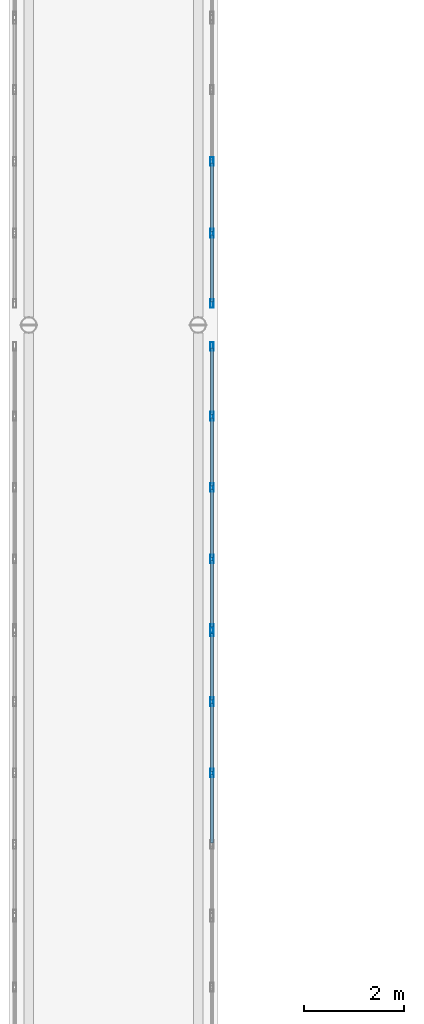
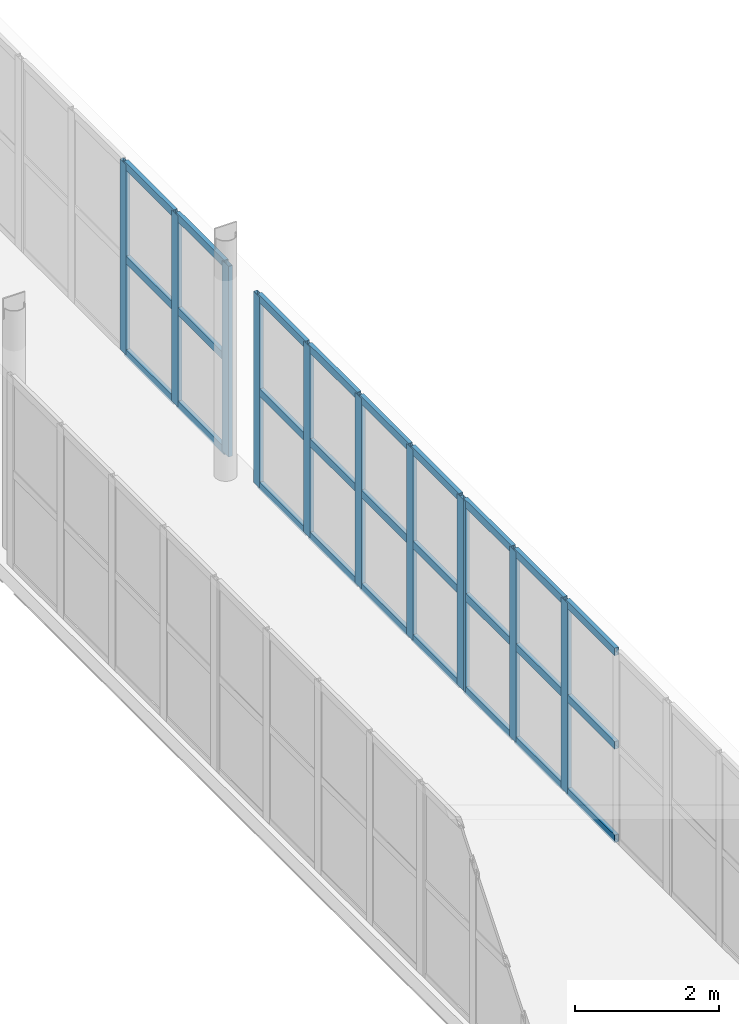
# One storey, part 29 of 52: 38 members, 3 elements without a shape of their own.
"""IFC4 building model written with IfcOpenShell, lengths in metres."""

from ifc_helpers import new_model, si_unit, direction, frame, origin, origin_2d, place, context, subcontext, project, spatial, hollow_rectangle, extrude, material, layer, layer_set, material_profile, profile_set, type_object, element, aggregate, save


model = new_model("IFC4")

# Units and contexts
model_context = context("Model", 3, precision=1e-05, world=origin(), true_north=direction((0.0, 1.0)))
body_context = subcontext(model_context, "Body", "Model", "MODEL_VIEW")
ifc_project = project(units=[si_unit("LENGTHUNIT", "METRE"), si_unit("AREAUNIT", "SQUARE_METRE"), si_unit("VOLUMEUNIT", "CUBIC_METRE"), si_unit("PLANEANGLEUNIT", "RADIAN"), si_unit("MASSUNIT", "GRAM", prefix="KILO")], contexts=[model_context])

# Site, building, storey
site_placement = place(None, origin())
site = spatial("IfcSite", under=ifc_project, at=site_placement, CompositionType="ELEMENT")
building_placement = place(site_placement, origin())
building = spatial("IfcBuilding", under=site, at=building_placement, Name="Valcora Specialist Clinic", CompositionType="ELEMENT")
storey_placement = place(building_placement, frame((0.0, 0.0, 17.679931640625)))
storey = spatial("IfcBuildingStorey", under=building, at=storey_placement, Name="L04", CompositionType="ELEMENT", Elevation=17.679931640625)

# Curtain wall, members
ifc_material = material(Name="Anodized Bronze Aluminium 6063-T6", Category="aluminium")
ifc_layer = layer(ifc_material, 0.175048828125)
ifc_layer_set = layer_set([ifc_layer], Name="Anodized Bronze Aluminium 6063-T6")
curtain_wall_type = type_object("IfcCurtainWallType", Name="TY-CW-BRG14", PredefinedType="NOTDEFINED", material=ifc_layer_set)
curtain_wall_1_placement = place(storey_placement, origin())
curtain_wall_1 = element("IfcCurtainWall", 1, at=curtain_wall_1_placement, inside=storey, type_object=curtain_wall_type, Name="Curtain wall CW-L04-280", PredefinedType="NOTDEFINED")
ifc_material_profile_1 = material_profile(ifc_material, hollow_rectangle(XDim=0.06494140625, YDim=0.175048828125, WallThickness=0.00390625, at=origin_2d()), Name="AL-MUL-65X175")
ifc_profile_set_1 = profile_set([ifc_material_profile_1], Name="Anodized Bronze Aluminium 6063-T6")
member_type_1 = type_object("IfcMemberType", Name="TY-CWM-65X175", PredefinedType="MULLION", material=ifc_profile_set_1)
member_1_placement = place(storey_placement, frame((65.280029296875, 47.0, 0.0), z_axis=(0.0, 0.0, 1.0), x_axis=(-1.0, 0.0, 0.0)))
member_1 = element("IfcMember", 2, at=member_1_placement, type_object=member_type_1, Name="CW-BRG-14 mullion 3", PredefinedType="MULLION", context=body_context, shape_type="SweptSolid", body=[
    extrude(hollow_rectangle(XDim=0.06494140625, YDim=0.175048828125, WallThickness=0.00390625, at=origin_2d()), origin(), (0.0, 0.0, 1.0), 3.239990234375),
])
member_2_placement = place(storey_placement, frame((65.280029296875, 48.433349609375, 0.0), z_axis=(0.0, 0.0, 1.0), x_axis=(-1.0, 0.0, 0.0)))
member_2 = element("IfcMember", 3, at=member_2_placement, type_object=member_type_1, Name="CW-BRG-14 mullion 4", PredefinedType="MULLION", context=body_context, shape_type="SweptSolid", body=[
    extrude(hollow_rectangle(XDim=0.06494140625, YDim=0.175048828125, WallThickness=0.00390625, at=origin_2d()), origin(), (0.0, 0.0, 1.0), 3.239990234375),
])
member_3_placement = place(storey_placement, frame((65.280029296875, 49.834228515625, 0.0), z_axis=(0.0, 0.0, 1.0), x_axis=(-1.0, 0.0, 0.0)))
member_3 = element("IfcMember", 4, at=member_3_placement, type_object=member_type_1, Name="CW-BRG-14 mullion 5", PredefinedType="MULLION", context=body_context, shape_type="SweptSolid", body=[
    extrude(hollow_rectangle(XDim=0.06494140625, YDim=0.175048828125, WallThickness=0.00390625, at=origin_2d()), origin(), (0.0, 0.0, 1.0), 3.239990234375),
])

curtain_wall_2_placement = place(storey_placement, origin())
curtain_wall_2 = element("IfcCurtainWall", 5, at=curtain_wall_2_placement, inside=storey, type_object=curtain_wall_type, Name="Curtain wall CW-L04-281", PredefinedType="NOTDEFINED")
member_4_placement = place(storey_placement, frame((65.280029296875, 49.899169921875, 0.0), z_axis=(0.0, 0.0, 1.0), x_axis=(-1.0, 0.0, 0.0)))
member_4 = element("IfcMember", 6, at=member_4_placement, type_object=member_type_1, Name="CW-BRG-14 mullion 1", PredefinedType="MULLION", context=body_context, shape_type="SweptSolid", body=[
    extrude(hollow_rectangle(XDim=0.06494140625, YDim=0.175048828125, WallThickness=0.00390625, at=origin_2d()), origin(), (0.0, 0.0, 1.0), 3.239990234375),
])
member_5_placement = place(storey_placement, frame((65.280029296875, 51.300048828125, 0.0), z_axis=(0.0, 0.0, 1.0), x_axis=(-1.0, 0.0, 0.0)))
member_5 = element("IfcMember", 7, at=member_5_placement, type_object=member_type_1, Name="CW-BRG-14 mullion 2", PredefinedType="MULLION", context=body_context, shape_type="SweptSolid", body=[
    extrude(hollow_rectangle(XDim=0.06494140625, YDim=0.175048828125, WallThickness=0.00390625, at=origin_2d()), origin(), (0.0, 0.0, 1.0), 3.239990234375),
])
member_6_placement = place(storey_placement, frame((65.280029296875, 52.7333984375, 0.0), z_axis=(0.0, 0.0, 1.0), x_axis=(-1.0, 0.0, 0.0)))
member_6 = element("IfcMember", 8, at=member_6_placement, type_object=member_type_1, Name="CW-BRG-14 mullion 3", PredefinedType="MULLION", context=body_context, shape_type="SweptSolid", body=[
    extrude(hollow_rectangle(XDim=0.06494140625, YDim=0.175048828125, WallThickness=0.00390625, at=origin_2d()), origin(), (0.0, 0.0, 1.0), 3.239990234375),
])
member_7_placement = place(storey_placement, frame((65.280029296875, 54.166748046875, 0.0), z_axis=(0.0, 0.0, 1.0), x_axis=(-1.0, 0.0, 0.0)))
member_7 = element("IfcMember", 9, at=member_7_placement, type_object=member_type_1, Name="CW-BRG-14 mullion 4", PredefinedType="MULLION", context=body_context, shape_type="SweptSolid", body=[
    extrude(hollow_rectangle(XDim=0.06494140625, YDim=0.175048828125, WallThickness=0.00390625, at=origin_2d()), origin(), (0.0, 0.0, 1.0), 3.239990234375),
])
member_8_placement = place(storey_placement, frame((65.280029296875, 55.5673828125, 0.0), z_axis=(0.0, 0.0, 1.0), x_axis=(-1.0, 0.0, 0.0)))
member_8 = element("IfcMember", 10, at=member_8_placement, type_object=member_type_1, Name="CW-BRG-14 mullion 5", PredefinedType="MULLION", context=body_context, shape_type="SweptSolid", body=[
    extrude(hollow_rectangle(XDim=0.06494140625, YDim=0.175048828125, WallThickness=0.00390625, at=origin_2d()), origin(), (0.0, 0.0, 1.0), 3.239990234375),
])

curtain_wall_3_placement = place(storey_placement, origin())
curtain_wall_3 = element("IfcCurtainWall", 11, at=curtain_wall_3_placement, inside=storey, type_object=curtain_wall_type, Name="Curtain wall CW-L04-282", PredefinedType="NOTDEFINED")
member_9_placement = place(storey_placement, frame((65.280029296875, 56.4326171875, 0.0), z_axis=(0.0, 0.0, 1.0), x_axis=(-1.0, 0.0, 0.0)))
member_9 = element("IfcMember", 12, at=member_9_placement, type_object=member_type_1, Name="CW-BRG-14 mullion 1", PredefinedType="MULLION", context=body_context, shape_type="SweptSolid", body=[
    extrude(hollow_rectangle(XDim=0.06494140625, YDim=0.175048828125, WallThickness=0.00390625, at=origin_2d()), origin(), (0.0, 0.0, 1.0), 3.239990234375),
])
member_10_placement = place(storey_placement, frame((65.280029296875, 57.841796875, 0.0), z_axis=(0.0, 0.0, 1.0), x_axis=(-1.0, 0.0, 0.0)))
member_10 = element("IfcMember", 13, at=member_10_placement, type_object=member_type_1, Name="CW-BRG-14 mullion 2", PredefinedType="MULLION", context=body_context, shape_type="SweptSolid", body=[
    extrude(hollow_rectangle(XDim=0.06494140625, YDim=0.175048828125, WallThickness=0.00390625, at=origin_2d()), origin(), (0.0, 0.0, 1.0), 3.239990234375),
])
member_11_placement = place(storey_placement, frame((65.280029296875, 59.283447265625, 0.0), z_axis=(0.0, 0.0, 1.0), x_axis=(-1.0, 0.0, 0.0)))
member_11 = element("IfcMember", 14, at=member_11_placement, type_object=member_type_1, Name="CW-BRG-14 mullion 3", PredefinedType="MULLION", context=body_context, shape_type="SweptSolid", body=[
    extrude(hollow_rectangle(XDim=0.06494140625, YDim=0.175048828125, WallThickness=0.00390625, at=origin_2d()), origin(), (0.0, 0.0, 1.0), 3.239990234375),
])

# Member
ifc_material_profile_2 = material_profile(ifc_material, hollow_rectangle(XDim=0.06494140625, YDim=0.1298828125, WallThickness=0.00390625, at=origin_2d()), Name="AL-TRN-65X130")
ifc_profile_set_2 = profile_set([ifc_material_profile_2], Name="Anodized Bronze Aluminium 6063-T6")
member_type_2 = type_object("IfcMemberType", Name="TY-CWT-65X130", PredefinedType="USERDEFINED", material=ifc_profile_set_2)
member_12_placement = place(storey_placement, frame((65.280029296875, 45.59912109375, 0.032470703125), z_axis=(0.0, 1.0, 0.0), x_axis=(-1.0, 0.0, 0.0)))
member_12 = element("IfcMember", 15, at=member_12_placement, type_object=member_type_2, Name="CW-BRG-14 transom 2.1", ObjectType="TRANSOM", PredefinedType="USERDEFINED", context=body_context, shape_type="SweptSolid", body=[
    extrude(hollow_rectangle(XDim=0.06494140625, YDim=0.1298828125, WallThickness=0.00390625, at=origin_2d()), origin(), (0.0, 0.0, 1.0), 1.368408203125),
])

member_13_placement = place(storey_placement, frame((65.280029296875, 45.59912109375, 1.6201171875), z_axis=(0.0, 1.0, 0.0), x_axis=(-1.0, 0.0, 0.0)))
member_13 = element("IfcMember", 16, at=member_13_placement, type_object=member_type_2, Name="CW-BRG-14 transom 2.2", ObjectType="TRANSOM", PredefinedType="USERDEFINED", context=body_context, shape_type="SweptSolid", body=[
    extrude(hollow_rectangle(XDim=0.06494140625, YDim=0.1298828125, WallThickness=0.00390625, at=origin_2d()), origin(), (0.0, 0.0, 1.0), 1.368408203125),
])

member_14_placement = place(storey_placement, frame((65.280029296875, 45.59912109375, 3.20751953125), z_axis=(0.0, 1.0, 0.0), x_axis=(-1.0, 0.0, 0.0)))
member_14 = element("IfcMember", 17, at=member_14_placement, type_object=member_type_2, Name="CW-BRG-14 transom 2.3", ObjectType="TRANSOM", PredefinedType="USERDEFINED", context=body_context, shape_type="SweptSolid", body=[
    extrude(hollow_rectangle(XDim=0.06494140625, YDim=0.1298828125, WallThickness=0.00390625, at=origin_2d()), origin(), (0.0, 0.0, 1.0), 1.368408203125),
])

member_15_placement = place(storey_placement, frame((65.280029296875, 47.032470703125, 0.032470703125), z_axis=(0.0, 1.0, 0.0), x_axis=(-1.0, 0.0, 0.0)))
member_15 = element("IfcMember", 18, at=member_15_placement, type_object=member_type_2, Name="CW-BRG-14 transom 3.1", ObjectType="TRANSOM", PredefinedType="USERDEFINED", context=body_context, shape_type="SweptSolid", body=[
    extrude(hollow_rectangle(XDim=0.06494140625, YDim=0.1298828125, WallThickness=0.00390625, at=origin_2d()), origin(), (0.0, 0.0, 1.0), 1.368408203125),
])

member_16_placement = place(storey_placement, frame((65.280029296875, 47.032470703125, 1.6201171875), z_axis=(0.0, 1.0, 0.0), x_axis=(-1.0, 0.0, 0.0)))
member_16 = element("IfcMember", 19, at=member_16_placement, type_object=member_type_2, Name="CW-BRG-14 transom 3.2", ObjectType="TRANSOM", PredefinedType="USERDEFINED", context=body_context, shape_type="SweptSolid", body=[
    extrude(hollow_rectangle(XDim=0.06494140625, YDim=0.1298828125, WallThickness=0.00390625, at=origin_2d()), origin(), (0.0, 0.0, 1.0), 1.368408203125),
])

member_17_placement = place(storey_placement, frame((65.280029296875, 47.032470703125, 3.20751953125), z_axis=(0.0, 1.0, 0.0), x_axis=(-1.0, 0.0, 0.0)))
member_17 = element("IfcMember", 20, at=member_17_placement, type_object=member_type_2, Name="CW-BRG-14 transom 3.3", ObjectType="TRANSOM", PredefinedType="USERDEFINED", context=body_context, shape_type="SweptSolid", body=[
    extrude(hollow_rectangle(XDim=0.06494140625, YDim=0.1298828125, WallThickness=0.00390625, at=origin_2d()), origin(), (0.0, 0.0, 1.0), 1.368408203125),
])

member_18_placement = place(storey_placement, frame((65.280029296875, 48.4658203125, 0.032470703125), z_axis=(0.0, 1.0, 0.0), x_axis=(-1.0, 0.0, 0.0)))
member_18 = element("IfcMember", 21, at=member_18_placement, type_object=member_type_2, Name="CW-BRG-14 transom 4.1", ObjectType="TRANSOM", PredefinedType="USERDEFINED", context=body_context, shape_type="SweptSolid", body=[
    extrude(hollow_rectangle(XDim=0.06494140625, YDim=0.1298828125, WallThickness=0.00390625, at=origin_2d()), origin(), (0.0, 0.0, 1.0), 1.3359375),
])

member_19_placement = place(storey_placement, frame((65.280029296875, 48.4658203125, 1.6201171875), z_axis=(0.0, 1.0, 0.0), x_axis=(-1.0, 0.0, 0.0)))
member_19 = element("IfcMember", 22, at=member_19_placement, type_object=member_type_2, Name="CW-BRG-14 transom 4.2", ObjectType="TRANSOM", PredefinedType="USERDEFINED", context=body_context, shape_type="SweptSolid", body=[
    extrude(hollow_rectangle(XDim=0.06494140625, YDim=0.1298828125, WallThickness=0.00390625, at=origin_2d()), origin(), (0.0, 0.0, 1.0), 1.3359375),
])

member_20_placement = place(storey_placement, frame((65.280029296875, 48.4658203125, 3.20751953125), z_axis=(0.0, 1.0, 0.0), x_axis=(-1.0, 0.0, 0.0)))
member_20 = element("IfcMember", 23, at=member_20_placement, type_object=member_type_2, Name="CW-BRG-14 transom 4.3", ObjectType="TRANSOM", PredefinedType="USERDEFINED", context=body_context, shape_type="SweptSolid", body=[
    extrude(hollow_rectangle(XDim=0.06494140625, YDim=0.1298828125, WallThickness=0.00390625, at=origin_2d()), origin(), (0.0, 0.0, 1.0), 1.3359375),
])

aggregate(curtain_wall_1, [member_1, member_2, member_3, member_12, member_13, member_14, member_15, member_16, member_17, member_18, member_19, member_20])

member_21_placement = place(storey_placement, frame((65.280029296875, 49.931640625, 0.032470703125), z_axis=(0.0, 1.0, 0.0), x_axis=(-1.0, 0.0, 0.0)))
member_21 = element("IfcMember", 24, at=member_21_placement, type_object=member_type_2, Name="CW-BRG-14 transom 1.1", ObjectType="TRANSOM", PredefinedType="USERDEFINED", context=body_context, shape_type="SweptSolid", body=[
    extrude(hollow_rectangle(XDim=0.06494140625, YDim=0.1298828125, WallThickness=0.00390625, at=origin_2d()), origin(), (0.0, 0.0, 1.0), 1.3359375),
])

member_22_placement = place(storey_placement, frame((65.280029296875, 49.931640625, 1.6201171875), z_axis=(0.0, 1.0, 0.0), x_axis=(-1.0, 0.0, 0.0)))
member_22 = element("IfcMember", 25, at=member_22_placement, type_object=member_type_2, Name="CW-BRG-14 transom 1.2", ObjectType="TRANSOM", PredefinedType="USERDEFINED", context=body_context, shape_type="SweptSolid", body=[
    extrude(hollow_rectangle(XDim=0.06494140625, YDim=0.1298828125, WallThickness=0.00390625, at=origin_2d()), origin(), (0.0, 0.0, 1.0), 1.3359375),
])

member_23_placement = place(storey_placement, frame((65.280029296875, 49.931640625, 3.20751953125), z_axis=(0.0, 1.0, 0.0), x_axis=(-1.0, 0.0, 0.0)))
member_23 = element("IfcMember", 26, at=member_23_placement, type_object=member_type_2, Name="CW-BRG-14 transom 1.3", ObjectType="TRANSOM", PredefinedType="USERDEFINED", context=body_context, shape_type="SweptSolid", body=[
    extrude(hollow_rectangle(XDim=0.06494140625, YDim=0.1298828125, WallThickness=0.00390625, at=origin_2d()), origin(), (0.0, 0.0, 1.0), 1.3359375),
])

member_24_placement = place(storey_placement, frame((65.280029296875, 51.33251953125, 0.032470703125), z_axis=(0.0, 1.0, 0.0), x_axis=(-1.0, 0.0, 0.0)))
member_24 = element("IfcMember", 27, at=member_24_placement, type_object=member_type_2, Name="CW-BRG-14 transom 2.1", ObjectType="TRANSOM", PredefinedType="USERDEFINED", context=body_context, shape_type="SweptSolid", body=[
    extrude(hollow_rectangle(XDim=0.06494140625, YDim=0.1298828125, WallThickness=0.00390625, at=origin_2d()), origin(), (0.0, 0.0, 1.0), 1.368408203125),
])

member_25_placement = place(storey_placement, frame((65.280029296875, 51.33251953125, 1.6201171875), z_axis=(0.0, 1.0, 0.0), x_axis=(-1.0, 0.0, 0.0)))
member_25 = element("IfcMember", 28, at=member_25_placement, type_object=member_type_2, Name="CW-BRG-14 transom 2.2", ObjectType="TRANSOM", PredefinedType="USERDEFINED", context=body_context, shape_type="SweptSolid", body=[
    extrude(hollow_rectangle(XDim=0.06494140625, YDim=0.1298828125, WallThickness=0.00390625, at=origin_2d()), origin(), (0.0, 0.0, 1.0), 1.368408203125),
])

member_26_placement = place(storey_placement, frame((65.280029296875, 51.33251953125, 3.20751953125), z_axis=(0.0, 1.0, 0.0), x_axis=(-1.0, 0.0, 0.0)))
member_26 = element("IfcMember", 29, at=member_26_placement, type_object=member_type_2, Name="CW-BRG-14 transom 2.3", ObjectType="TRANSOM", PredefinedType="USERDEFINED", context=body_context, shape_type="SweptSolid", body=[
    extrude(hollow_rectangle(XDim=0.06494140625, YDim=0.1298828125, WallThickness=0.00390625, at=origin_2d()), origin(), (0.0, 0.0, 1.0), 1.368408203125),
])

member_27_placement = place(storey_placement, frame((65.280029296875, 52.765869140625, 0.032470703125), z_axis=(0.0, 1.0, 0.0), x_axis=(-1.0, 0.0, 0.0)))
member_27 = element("IfcMember", 30, at=member_27_placement, type_object=member_type_2, Name="CW-BRG-14 transom 3.1", ObjectType="TRANSOM", PredefinedType="USERDEFINED", context=body_context, shape_type="SweptSolid", body=[
    extrude(hollow_rectangle(XDim=0.06494140625, YDim=0.1298828125, WallThickness=0.00390625, at=origin_2d()), origin(), (0.0, 0.0, 1.0), 1.368408203125),
])

member_28_placement = place(storey_placement, frame((65.280029296875, 52.765869140625, 1.6201171875), z_axis=(0.0, 1.0, 0.0), x_axis=(-1.0, 0.0, 0.0)))
member_28 = element("IfcMember", 31, at=member_28_placement, type_object=member_type_2, Name="CW-BRG-14 transom 3.2", ObjectType="TRANSOM", PredefinedType="USERDEFINED", context=body_context, shape_type="SweptSolid", body=[
    extrude(hollow_rectangle(XDim=0.06494140625, YDim=0.1298828125, WallThickness=0.00390625, at=origin_2d()), origin(), (0.0, 0.0, 1.0), 1.368408203125),
])

member_29_placement = place(storey_placement, frame((65.280029296875, 52.765869140625, 3.20751953125), z_axis=(0.0, 1.0, 0.0), x_axis=(-1.0, 0.0, 0.0)))
member_29 = element("IfcMember", 32, at=member_29_placement, type_object=member_type_2, Name="CW-BRG-14 transom 3.3", ObjectType="TRANSOM", PredefinedType="USERDEFINED", context=body_context, shape_type="SweptSolid", body=[
    extrude(hollow_rectangle(XDim=0.06494140625, YDim=0.1298828125, WallThickness=0.00390625, at=origin_2d()), origin(), (0.0, 0.0, 1.0), 1.368408203125),
])

member_30_placement = place(storey_placement, frame((65.280029296875, 54.19921875, 0.032470703125), z_axis=(0.0, 1.0, 0.0), x_axis=(-1.0, 0.0, 0.0)))
member_30 = element("IfcMember", 33, at=member_30_placement, type_object=member_type_2, Name="CW-BRG-14 transom 4.1", ObjectType="TRANSOM", PredefinedType="USERDEFINED", context=body_context, shape_type="SweptSolid", body=[
    extrude(hollow_rectangle(XDim=0.06494140625, YDim=0.1298828125, WallThickness=0.00390625, at=origin_2d()), origin(), (0.0, 0.0, 1.0), 1.335693359375),
])

member_31_placement = place(storey_placement, frame((65.280029296875, 54.19921875, 1.6201171875), z_axis=(0.0, 1.0, 0.0), x_axis=(-1.0, 0.0, 0.0)))
member_31 = element("IfcMember", 34, at=member_31_placement, type_object=member_type_2, Name="CW-BRG-14 transom 4.2", ObjectType="TRANSOM", PredefinedType="USERDEFINED", context=body_context, shape_type="SweptSolid", body=[
    extrude(hollow_rectangle(XDim=0.06494140625, YDim=0.1298828125, WallThickness=0.00390625, at=origin_2d()), origin(), (0.0, 0.0, 1.0), 1.335693359375),
])

member_32_placement = place(storey_placement, frame((65.280029296875, 54.19921875, 3.20751953125), z_axis=(0.0, 1.0, 0.0), x_axis=(-1.0, 0.0, 0.0)))
member_32 = element("IfcMember", 35, at=member_32_placement, type_object=member_type_2, Name="CW-BRG-14 transom 4.3", ObjectType="TRANSOM", PredefinedType="USERDEFINED", context=body_context, shape_type="SweptSolid", body=[
    extrude(hollow_rectangle(XDim=0.06494140625, YDim=0.1298828125, WallThickness=0.00390625, at=origin_2d()), origin(), (0.0, 0.0, 1.0), 1.335693359375),
])

aggregate(curtain_wall_2, [member_4, member_5, member_6, member_7, member_8, member_21, member_22, member_23, member_24, member_25, member_26, member_27, member_28, member_29, member_30, member_31, member_32])

member_33_placement = place(storey_placement, frame((65.280029296875, 56.465087890625, 0.032470703125), z_axis=(0.0, 1.0, 0.0), x_axis=(-1.0, 0.0, 0.0)))
member_33 = element("IfcMember", 36, at=member_33_placement, type_object=member_type_2, Name="CW-BRG-14 transom 1.1", ObjectType="TRANSOM", PredefinedType="USERDEFINED", context=body_context, shape_type="SweptSolid", body=[
    extrude(hollow_rectangle(XDim=0.06494140625, YDim=0.1298828125, WallThickness=0.00390625, at=origin_2d()), origin(), (0.0, 0.0, 1.0), 1.343994140625),
])

member_34_placement = place(storey_placement, frame((65.280029296875, 56.465087890625, 1.6201171875), z_axis=(0.0, 1.0, 0.0), x_axis=(-1.0, 0.0, 0.0)))
member_34 = element("IfcMember", 37, at=member_34_placement, type_object=member_type_2, Name="CW-BRG-14 transom 1.2", ObjectType="TRANSOM", PredefinedType="USERDEFINED", context=body_context, shape_type="SweptSolid", body=[
    extrude(hollow_rectangle(XDim=0.06494140625, YDim=0.1298828125, WallThickness=0.00390625, at=origin_2d()), origin(), (0.0, 0.0, 1.0), 1.343994140625),
])

member_35_placement = place(storey_placement, frame((65.280029296875, 56.465087890625, 3.20751953125), z_axis=(0.0, 1.0, 0.0), x_axis=(-1.0, 0.0, 0.0)))
member_35 = element("IfcMember", 38, at=member_35_placement, type_object=member_type_2, Name="CW-BRG-14 transom 1.3", ObjectType="TRANSOM", PredefinedType="USERDEFINED", context=body_context, shape_type="SweptSolid", body=[
    extrude(hollow_rectangle(XDim=0.06494140625, YDim=0.1298828125, WallThickness=0.00390625, at=origin_2d()), origin(), (0.0, 0.0, 1.0), 1.343994140625),
])

member_36_placement = place(storey_placement, frame((65.280029296875, 57.874267578125, 0.032470703125), z_axis=(0.0, 1.0, 0.0), x_axis=(-1.0, 0.0, 0.0)))
member_36 = element("IfcMember", 39, at=member_36_placement, type_object=member_type_2, Name="CW-BRG-14 transom 2.1", ObjectType="TRANSOM", PredefinedType="USERDEFINED", context=body_context, shape_type="SweptSolid", body=[
    extrude(hollow_rectangle(XDim=0.06494140625, YDim=0.1298828125, WallThickness=0.00390625, at=origin_2d()), origin(), (0.0, 0.0, 1.0), 1.37646484375),
])

member_37_placement = place(storey_placement, frame((65.280029296875, 57.874267578125, 1.6201171875), z_axis=(0.0, 1.0, 0.0), x_axis=(-1.0, 0.0, 0.0)))
member_37 = element("IfcMember", 40, at=member_37_placement, type_object=member_type_2, Name="CW-BRG-14 transom 2.2", ObjectType="TRANSOM", PredefinedType="USERDEFINED", context=body_context, shape_type="SweptSolid", body=[
    extrude(hollow_rectangle(XDim=0.06494140625, YDim=0.1298828125, WallThickness=0.00390625, at=origin_2d()), origin(), (0.0, 0.0, 1.0), 1.37646484375),
])

member_38_placement = place(storey_placement, frame((65.280029296875, 57.874267578125, 3.20751953125), z_axis=(0.0, 1.0, 0.0), x_axis=(-1.0, 0.0, 0.0)))
member_38 = element("IfcMember", 41, at=member_38_placement, type_object=member_type_2, Name="CW-BRG-14 transom 2.3", ObjectType="TRANSOM", PredefinedType="USERDEFINED", context=body_context, shape_type="SweptSolid", body=[
    extrude(hollow_rectangle(XDim=0.06494140625, YDim=0.1298828125, WallThickness=0.00390625, at=origin_2d()), origin(), (0.0, 0.0, 1.0), 1.37646484375),
])

aggregate(curtain_wall_3, [member_9, member_10, member_11, member_33, member_34, member_35, member_36, member_37, member_38])

save(model, "model.ifc")
